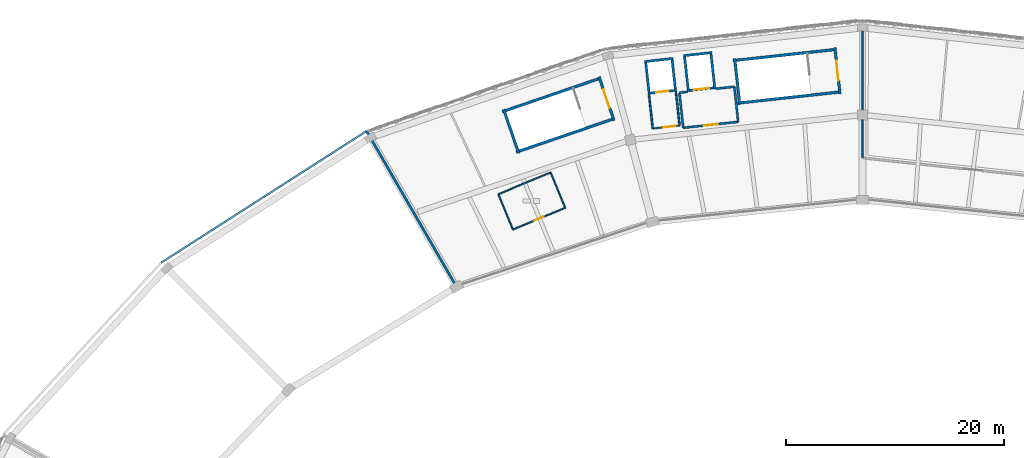
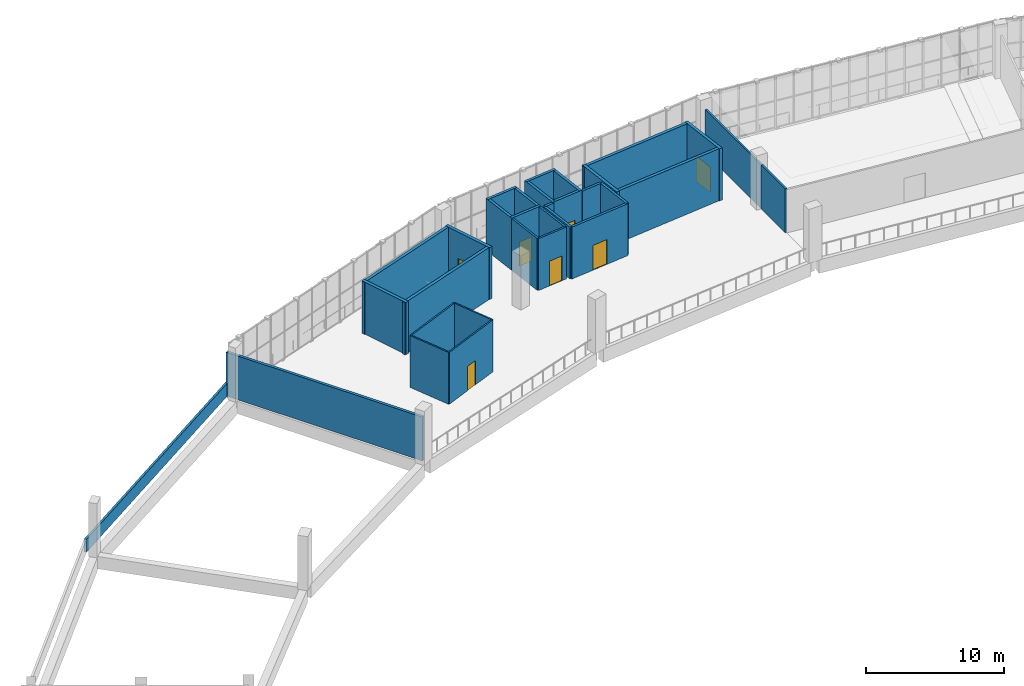
# One storey, part 48 of 64: 32 walls, 7 doors, 7 openings.
"""IFC4 building model written with IfcOpenShell, lengths in metres."""

from ifc_helpers import new_model, si_unit, direction, frame, frame_2d, origin, place, context, subcontext, project, spatial, rectangle, extrude, material, layer, layer_set, type_object, element, fill, save


model = new_model("IFC4")

# Units and contexts
model_context = context("Model", 3, precision=1e-05, world=origin(), true_north=direction((0.0, 1.0)))
body_context = subcontext(model_context, "Body", "Model", "MODEL_VIEW")
ifc_project = project(units=[si_unit("LENGTHUNIT", "METRE"), si_unit("AREAUNIT", "SQUARE_METRE"), si_unit("VOLUMEUNIT", "CUBIC_METRE"), si_unit("PLANEANGLEUNIT", "RADIAN"), si_unit("MASSUNIT", "GRAM", prefix="KILO")], contexts=[model_context])

# Site, building, storey
site_placement = place(None, origin())
site = spatial("IfcSite", under=ifc_project, at=site_placement, CompositionType="ELEMENT")
building_placement = place(site_placement, origin())
building = spatial("IfcBuilding", under=site, at=building_placement, Name="Zevraka Park Crest Stadium", CompositionType="ELEMENT")
storey_placement = place(building_placement, frame((0.0, 0.0, 24.60009765625)))
storey = spatial("IfcBuildingStorey", under=building, at=storey_placement, Name="L05", CompositionType="ELEMENT", Elevation=24.60009765625)

# Walls
ifc_material_1 = material(Name="Autoclaved aerated masonry blockwork", Category="masonry")
ifc_layer_1 = layer(ifc_material_1, 0.199951171875)
ifc_layer_set_1 = layer_set([ifc_layer_1], Name="Autoclaved aerated masonry blockwork")
wall_type_1 = type_object("IfcWallType", Name="IW01", PredefinedType="PARTITIONING", material=ifc_layer_set_1)
wall_1_placement = place(storey_placement, frame((95.195068359375, 161.3349609375, 0.0), z_axis=(0.0, 0.0, 1.0), x_axis=(0.994146742738, 0.108038205757, 0.0)))
element("IfcWall", 1, at=wall_1_placement, inside=storey, type_object=wall_type_1, Name="Firefighting Lift Lobby Wall IW01 FL02 L05 BACKL", PredefinedType="PARTITIONING", context=body_context, shape_type="SweptSolid", body=[
    extrude(rectangle(XDim=0.750244140625, YDim=0.199951171875, at=frame_2d((0.375, 0.0))), origin(), (0.0, 0.0, 1.0), 4.599853515625),
])
wall_2_placement = place(storey_placement, frame((98.52490234375, 161.697998046875, 0.0), z_axis=(0.0, 0.0, 1.0), x_axis=(0.994135511072, 0.108141507414, 0.0)))
element("IfcWall", 2, at=wall_2_placement, inside=storey, type_object=wall_type_1, Name="Firefighting Lift Lobby Wall IW01 FL02 L05 BACKR", PredefinedType="PARTITIONING", context=body_context, shape_type="SweptSolid", body=[
    extrude(rectangle(XDim=1.72021484375, YDim=0.199951171875, at=frame_2d((0.860107421875, 0.0))), origin(), (0.0, 0.0, 1.0), 4.599853515625),
])
for number, where, z_axis, x_axis, name in (
    (3, (95.195068359375, 161.3349609375, 0.0), (0.0, 0.0, 1.0), (0.108280975823, -0.994120329877, 0.0), "Firefighting Lift Lobby Wall IW01 FL02 L05 LEFT"),
    (4, (100.235107421875, 161.884033203125, 0.0), (0.0, 0.0, 1.0), (0.108280975823, -0.994120329877, 0.0), "Firefighting Lift Lobby Wall IW01 FL02 L05 RIGHT"),
):
    element("IfcWall", number, at=place(storey_placement, frame(where, z_axis=z_axis, x_axis=x_axis)), inside=storey, type_object=wall_type_1, Name=name, PredefinedType="PARTITIONING", context=body_context, shape_type="SweptSolid", body=[
        extrude(rectangle(XDim=3.239990234375, YDim=0.199951171875, at=frame_2d((1.6201171875, 0.0))), origin(), (0.0, 0.0, 1.0), 4.599853515625),
    ])

# Wall, opening, door
wall_3_placement = place(storey_placement, frame((95.5458984375, 158.114013671875, 0.0), z_axis=(0.0, 0.0, 1.0), x_axis=(0.994118117986, 0.108301281116, 0.0)))
wall_3 = element("IfcWall", 5, at=wall_3_placement, inside=storey, type_object=wall_type_1, Name="Firefighting Lift Lobby Wall IW01 FL02 L05 FRONT", PredefinedType="PARTITIONING", context=body_context, shape_type="SweptSolid", body=[
    extrude(rectangle(XDim=5.06982421875, YDim=0.199951171875, at=frame_2d((2.534912109375, 0.0))), origin(), (0.0, 0.0, 1.0), 4.599853515625),
])
opening_1_placement = place(wall_3_placement, frame((1.909912109375, 0.0, 0.0)))
opening_1 = element("IfcOpeningElement", 6, at=opening_1_placement, cuts=wall_3, Name="Opening D-L05-300", PredefinedType="OPENING", context=body_context, shape_type="SweptSolid", body=[
    extrude(rectangle(XDim=1.25, YDim=2.199951171875, at=frame_2d((0.625, 1.10009765625))), frame((0.0, 0.10986328125, 0.0), z_axis=(0.0, -1.0, 0.0), x_axis=(1.0, 0.0, 0.0)), (0.0, 0.0, 1.0), 0.219970703125),
])
ifc_material_2 = material(Name="Solid-core hardwood timber leaf in steel frame", Category="steel")
door_type_1 = type_object("IfcDoorType", Name="DR07", OperationType="NOTDEFINED", PredefinedType="DOOR", material=ifc_material_2)
door_1_placement = place(opening_1_placement, origin())
door_1 = element("IfcDoor", 7, at=door_1_placement, inside=storey, type_object=door_type_1, Name="Firefighting Lift Lobby FL02 Door D-L05-300", OperationType="SINGLE_SWING_RIGHT", OverallHeight=2.199951171875, OverallWidth=1.25, PredefinedType="DOOR", context=body_context, shape_type="SweptSolid", body=[
    extrude(rectangle(XDim=1.25, YDim=2.199951171875, at=frame_2d((0.625, 1.10009765625))), frame((0.0, 0.02490234375, 0.0), z_axis=(0.0, -1.0, 0.0), x_axis=(1.0, 0.0, 0.0)), (0.0, 0.0, 1.0), 0.050048828125),
])
fill(opening_1, door_1)

# Walls
ifc_material_3 = material(Name="Fire-rated twin-stud acoustic drywall", Category="other")
ifc_layer_2 = layer(ifc_material_3, 0.159912109375)
ifc_layer_set_2 = layer_set([ifc_layer_2], Name="Fire-rated twin-stud acoustic drywall")
wall_type_2 = type_object("IfcWallType", Name="IW02", PredefinedType="PARTITIONING", material=ifc_layer_set_2)
wall_4_placement = place(storey_placement, frame((92.403076171875, 161.200927734375, 0.0), z_axis=(0.0, 0.0, 1.0), x_axis=(0.108800302456, -0.99406362683, 0.0)))
element("IfcWall", 8, at=wall_4_placement, inside=storey, type_object=wall_type_2, Name="Passenger Lift Lobby Wall IW02 PL02 L05 LEFT", PredefinedType="PARTITIONING", context=body_context, shape_type="SweptSolid", body=[
    extrude(rectangle(XDim=3.170654296875, YDim=0.159912109375, at=frame_2d((1.58544921875, 0.0))), origin(), (0.0, 0.0, 1.0), 4.599853515625),
])
wall_5_placement = place(storey_placement, frame((94.868896484375, 161.469970703125, 0.0), z_axis=(0.0, 0.0, 1.0), x_axis=(0.108909733757, -0.994051643474, 0.0)))
element("IfcWall", 9, at=wall_5_placement, inside=storey, type_object=wall_type_2, Name="Passenger Lift Lobby Wall IW02 PL02 L05 RIGHT", PredefinedType="PARTITIONING", context=body_context, shape_type="SweptSolid", body=[
    extrude(rectangle(XDim=3.169677734375, YDim=0.159912109375, at=frame_2d((1.5849609375, 0.0))), origin(), (0.0, 0.0, 1.0), 4.599853515625),
])

# Wall, opening, door
wall_6_placement = place(storey_placement, frame((92.748046875, 158.049072265625, 0.0), z_axis=(0.0, 0.0, 1.0), x_axis=(0.994058887757, 0.1088435927, 0.0)))
wall_6 = element("IfcWall", 10, at=wall_6_placement, inside=storey, type_object=wall_type_2, Name="Passenger Lift Lobby Wall IW02 PL02 L05 FRONT", PredefinedType="PARTITIONING", context=body_context, shape_type="SweptSolid", body=[
    extrude(rectangle(XDim=2.480712890625, YDim=0.159912109375, at=frame_2d((1.240234375, 0.0))), origin(), (0.0, 0.0, 1.0), 4.599853515625),
])
opening_2_placement = place(wall_6_placement, frame((0.962890625, 0.0, 0.0)))
opening_2 = element("IfcOpeningElement", 11, at=opening_2_placement, cuts=wall_6, Name="Opening D-L05-306", PredefinedType="OPENING", context=body_context, shape_type="SweptSolid", body=[
    extrude(rectangle(XDim=1.14990234375, YDim=2.199951171875, at=frame_2d((0.574951171875, 1.10009765625))), frame((0.0, 0.08984375, 0.0), z_axis=(0.0, -1.0, 0.0), x_axis=(1.0, 0.0, 0.0)), (0.0, 0.0, 1.0), 0.179931640625),
])
ifc_material_4 = material(Name="Solid-core hardwood timber leaf in steel frame", Category="steel")
door_type_2 = type_object("IfcDoorType", Name="DR03", OperationType="NOTDEFINED", PredefinedType="DOOR", material=ifc_material_4)
door_2_placement = place(opening_2_placement, origin())
door_2 = element("IfcDoor", 12, at=door_2_placement, inside=storey, type_object=door_type_2, Name="Passenger Lift Lobby PL02 Door D-L05-306", OperationType="SINGLE_SWING_RIGHT", OverallHeight=2.199951171875, OverallWidth=1.14990234375, PredefinedType="DOOR", context=body_context, shape_type="SweptSolid", body=[
    extrude(rectangle(XDim=1.14990234375, YDim=2.199951171875, at=frame_2d((0.574951171875, 1.10009765625))), frame((0.0, 0.02490234375, 0.0), z_axis=(0.0, -1.0, 0.0), x_axis=(1.0, 0.0, 0.0)), (0.0, 0.0, 1.0), 0.050048828125),
])
fill(opening_2, door_2)

ifc_material_5 = material(Name="Moisture-resistant sanitary partition", Category="other")
ifc_layer_3 = layer(ifc_material_5, 0.1201171875)
ifc_layer_set_3 = layer_set([ifc_layer_3], Name="Moisture-resistant sanitary partition")
wall_type_3 = type_object("IfcWallType", Name="IW04", PredefinedType="PARTITIONING", material=ifc_layer_set_3)
wall_7_placement = place(storey_placement, frame((84.72509765625, 150.783935546875, 0.0), z_axis=(0.0, 0.0, 1.0), x_axis=(-0.923877780955, -0.38268766097, 0.0)))
wall_7 = element("IfcWall", 13, at=wall_7_placement, inside=storey, type_object=wall_type_3, Name="Sanitary Enclosure Wall IW04 Female WC L05-002-1", PredefinedType="PARTITIONING", context=body_context, shape_type="SweptSolid", body=[
    extrude(rectangle(XDim=5.199951171875, YDim=0.1201171875, at=frame_2d((2.60009765625, 0.0))), origin(), (0.0, 0.0, 1.0), 4.599853515625),
])
opening_3_placement = place(wall_7_placement, frame((2.125, 0.0, 0.0)))
opening_3 = element("IfcOpeningElement", 14, at=opening_3_placement, cuts=wall_7, Name="Opening D-L05-353", PredefinedType="OPENING", context=body_context, shape_type="SweptSolid", body=[
    extrude(rectangle(XDim=0.949951171875, YDim=2.14990234375, at=frame_2d((0.47509765625, 1.074951171875))), frame((0.0, 0.070068359375, 0.0), z_axis=(0.0, -1.0, 0.0), x_axis=(1.0, 0.0, 0.0)), (0.0, 0.0, 1.0), 0.14013671875),
])
ifc_material_6 = material(Name="Solid-core hardwood timber leaf in steel frame", Category="steel")
door_type_3 = type_object("IfcDoorType", Name="DR08", OperationType="NOTDEFINED", PredefinedType="DOOR", material=ifc_material_6)
door_3_placement = place(opening_3_placement, origin())
door_3 = element("IfcDoor", 15, at=door_3_placement, inside=storey, type_object=door_type_3, Name="Female WC Door D-L05-353", OperationType="SINGLE_SWING_LEFT", OverallHeight=2.14990234375, OverallWidth=0.949951171875, PredefinedType="DOOR", context=body_context, shape_type="SweptSolid", body=[
    extrude(rectangle(XDim=0.949951171875, YDim=2.14990234375, at=frame_2d((0.47509765625, 1.074951171875))), frame((0.0, 0.02490234375, 0.0), z_axis=(0.0, -1.0, 0.0), x_axis=(1.0, 0.0, 0.0)), (0.0, 0.0, 1.0), 0.050048828125),
])
fill(opening_3, door_3)

# Walls
wall_8_placement = place(storey_placement, frame((79.9208984375, 148.7939453125, 0.0), z_axis=(0.0, 0.0, 1.0), x_axis=(-0.38283644003, 0.923816139816, 0.0)))
element("IfcWall", 16, at=wall_8_placement, inside=storey, type_object=wall_type_3, Name="Sanitary Enclosure Wall IW04 Female WC L05-002-2", PredefinedType="PARTITIONING", context=body_context, shape_type="SweptSolid", body=[
    extrude(rectangle(XDim=3.499755859375, YDim=0.1201171875, at=frame_2d((1.75, 0.0))), origin(), (0.0, 0.0, 1.0), 4.599853515625),
])
wall_9_placement = place(storey_placement, frame((78.5810546875, 152.027099609375, 0.0), z_axis=(0.0, 0.0, 1.0), x_axis=(0.923898404293, 0.382637868675, 0.0)))
element("IfcWall", 17, at=wall_9_placement, inside=storey, type_object=wall_type_3, Name="Sanitary Enclosure Wall IW04 Female WC L05-002-3", PredefinedType="PARTITIONING", context=body_context, shape_type="SweptSolid", body=[
    extrude(rectangle(XDim=5.20068359375, YDim=0.1201171875, at=frame_2d((2.600341796875, 0.0))), origin(), (0.0, 0.0, 1.0), 4.599853515625),
])
wall_10_placement = place(storey_placement, frame((83.385986328125, 154.01708984375, 0.0), z_axis=(0.0, 0.0, 1.0), x_axis=(0.38265781443, -0.923890143391, 0.0)))
element("IfcWall", 18, at=wall_10_placement, inside=storey, type_object=wall_type_3, Name="Sanitary Enclosure Wall IW04 Female WC L05-002-4", PredefinedType="PARTITIONING", context=body_context, shape_type="SweptSolid", body=[
    extrude(rectangle(XDim=3.49951171875, YDim=0.1201171875, at=frame_2d((1.749755859375, 0.0))), origin(), (0.0, 0.0, 1.0), 4.599853515625),
])
ifc_material_7 = material(Name="Fire-rated twin-stud acoustic drywall", Category="other")
ifc_layer_4 = layer(ifc_material_7, 0.14990234375)
ifc_layer_set_4 = layer_set([ifc_layer_4], Name="Fire-rated twin-stud acoustic drywall")
wall_type_4 = type_object("IfcWallType", Name="IW05", PredefinedType="PARTITIONING", material=ifc_layer_set_4)
wall_11_placement = place(storey_placement, frame((112.0, 155.35009765625, 0.0), z_axis=(0.0, 0.0, 1.0), x_axis=(0.0, 1.0, 0.0)))
element("IfcWall", 19, at=wall_11_placement, inside=storey, type_object=wall_type_4, Name="Interior Partition IW05 Venue Operations and Fire Command Centre L05", PredefinedType="PARTITIONING", context=body_context, shape_type="SweptSolid", body=[
    extrude(rectangle(XDim=3.514892578125, YDim=0.14990234375, at=frame_2d((1.75732421875, 0.0))), origin(), (0.0, 0.0, 1.0), 3.889892578125),
])
wall_12_placement = place(storey_placement, frame((112.0, 158.85009765625, 0.0), z_axis=(0.0, 0.0, 1.0), x_axis=(0.0, 1.0, 0.0)))
element("IfcWall", 20, at=wall_12_placement, inside=storey, type_object=wall_type_4, Name="Interior Partition IW05 Venue Operations and Fire Command Centre L05", PredefinedType="PARTITIONING", context=body_context, shape_type="SweptSolid", body=[
    extrude(rectangle(XDim=8.139892578125, YDim=0.14990234375, at=frame_2d((4.06982421875, 0.0))), origin(), (0.0, 0.0, 1.0), 3.889892578125),
])
ifc_material_8 = material(Name="Precast concrete C40/50", Category="concrete")
ifc_layer_5 = layer(ifc_material_8, 0.219970703125)
ifc_layer_set_5 = layer_set([ifc_layer_5], Name="Precast concrete C40/50")
wall_type_5 = type_object("IfcWallType", Name="PW01", PredefinedType="PARAPET", material=ifc_layer_set_5)
wall_13_placement = place(storey_placement, frame((74.75, 143.529052734375, 0.0), z_axis=(0.0, 0.0, 1.0), x_axis=(-0.500009360108, 0.866019999656, 0.0)))
element("IfcWall", 21, at=wall_13_placement, inside=storey, type_object=wall_type_5, Name="Crown Tribune End Closure Wall PW01 08", PredefinedType="PARAPET", context=body_context, shape_type="SweptSolid", body=[
    extrude(rectangle(XDim=16.499755859375, YDim=0.219970703125, at=frame_2d((8.25, 0.0))), origin(), (0.0, 0.0, 1.0), 3.889892578125),
])
ifc_material_9 = material(Name="Precast concrete C40/50", Category="concrete")
ifc_layer_6 = layer(ifc_material_9, 0.179931640625)
ifc_layer_set_6 = layer_set([ifc_layer_6], Name="Precast concrete C40/50")
wall_type_6 = type_object("IfcWallType", Name="PW02", PredefinedType="PARAPET", material=ifc_layer_set_6)
wall_14_placement = place(storey_placement, frame((66.5, 157.818115234375, 0.0), z_axis=(0.0, 0.0, 1.0), x_axis=(-0.841944820425, -0.539563637914, 0.0)))
element("IfcWall", 22, at=wall_14_placement, inside=storey, type_object=wall_type_6, Name="Setback Roof Parapet Wall PW02 08", PredefinedType="PARAPET", context=body_context, shape_type="SweptSolid", body=[
    extrude(rectangle(XDim=22.385009765625, YDim=0.179931640625, at=frame_2d((11.1923828125, 0.0))), origin(), (0.0, 0.0, 1.0), 1.14990234375),
])
ifc_material_10 = material(Name="Concrete C40/50", Category="concrete")
ifc_layer_7 = layer(ifc_material_10, 0.25)
ifc_layer_set_7 = layer_set([ifc_layer_7], Name="Concrete C40/50")
wall_type_7 = type_object("IfcWallType", Name="SW01", PredefinedType="SHEAR", material=ifc_layer_set_7)
for number, where, z_axis, x_axis, name in (
    (23, (109.602783203125, 165.310546875, 0.0), (0.0, 0.0, 1.0), (-0.994127555169, -0.108214620337, 0.0), "Stair Core Shear Wall SW01 ST07 L05 left"),
    (24, (100.533203125, 160.380126953125, 0.0), (0.0, 0.0, 1.0), (0.994127555169, 0.108214620337, 0.0), "Stair Core Shear Wall SW01 ST07 L05 right"),
):
    element("IfcWall", number, at=place(storey_placement, frame(where, z_axis=z_axis, x_axis=x_axis)), inside=storey, type_object=wall_type_7, Name=name, PredefinedType="SHEAR", context=body_context, shape_type="SweptSolid", body=[
        extrude(rectangle(XDim=9.550048828125, YDim=0.25, at=frame_2d((4.77490234375, 0.0))), origin(), (0.0, 0.0, 1.0), 4.619873046875),
    ])

# Wall, opening, door
wall_15_placement = place(storey_placement, frame((109.921142578125, 161.23095703125, 0.0), z_axis=(0.0, 0.0, 1.0), x_axis=(-0.108198315262, 0.994129329903, 0.0)))
wall_15 = element("IfcWall", 25, at=wall_15_placement, inside=storey, type_object=wall_type_7, Name="Stair Core Shear Wall SW01 ST07 L05 near", PredefinedType="SHEAR", context=body_context, shape_type="SweptSolid", body=[
    extrude(rectangle(XDim=4.260009765625, YDim=0.25, at=frame_2d((2.1298828125, 0.0))), origin(), (0.0, 0.0, 1.0), 4.619873046875),
])
opening_4_placement = place(wall_15_placement, frame((1.22998046875, 0.0, 0.0)))
opening_4 = element("IfcOpeningElement", 26, at=opening_4_placement, cuts=wall_15, Name="Opening D-L05-043", PredefinedType="OPENING", context=body_context, shape_type="SweptSolid", body=[
    extrude(rectangle(XDim=1.800048828125, YDim=2.25, at=frame_2d((0.89990234375, 1.125))), frame((0.0, 0.135009765625, 0.0), z_axis=(0.0, -1.0, 0.0), x_axis=(1.0, 0.0, 0.0)), (0.0, 0.0, 1.0), 0.27001953125),
])
ifc_material_11 = material(Name="Solid-core hardwood timber leaf in steel frame", Category="steel")
door_type_4 = type_object("IfcDoorType", Name="DR04", OperationType="NOTDEFINED", PredefinedType="DOOR", material=ifc_material_11)
door_4_placement = place(opening_4_placement, origin())
door_4 = element("IfcDoor", 27, at=door_4_placement, inside=storey, type_object=door_type_4, Name="Protected Stair Entry Door ST07 L05", OperationType="DOUBLE_DOOR_SINGLE_SWING", OverallHeight=2.25, OverallWidth=1.800048828125, PredefinedType="DOOR", context=body_context, shape_type="SweptSolid", body=[
    extrude(rectangle(XDim=1.800048828125, YDim=2.25, at=frame_2d((0.89990234375, 1.125))), frame((0.0, 0.02490234375, 0.0), z_axis=(0.0, -1.0, 0.0), x_axis=(1.0, 0.0, 0.0)), (0.0, 0.0, 1.0), 0.050048828125),
])
fill(opening_4, door_4)

# Walls
wall_16_placement = place(storey_placement, frame((100.2744140625, 164.466064453125, 0.0), z_axis=(0.0, 0.0, 1.0), x_axis=(0.108204479885, -0.994128658944, 0.0)))
element("IfcWall", 28, at=wall_16_placement, inside=storey, type_object=wall_type_7, Name="Stair Core Shear Wall SW01 ST07 L05 far", PredefinedType="SHEAR", context=body_context, shape_type="SweptSolid", body=[
    extrude(rectangle(XDim=4.259765625, YDim=0.25, at=frame_2d((2.1298828125, 0.0))), origin(), (0.0, 0.0, 1.0), 4.619873046875),
])
wall_17_placement = place(storey_placement, frame((87.99267578125, 162.685791015625, 0.0), z_axis=(0.0, 0.0, 1.0), x_axis=(-0.946064424228, -0.323978556712, 0.0)))
element("IfcWall", 29, at=wall_17_placement, inside=storey, type_object=wall_type_7, Name="Stair Core Shear Wall SW01 ST08 L05 left", PredefinedType="SHEAR", context=body_context, shape_type="SweptSolid", body=[
    extrude(rectangle(XDim=9.550048828125, YDim=0.25, at=frame_2d((4.77490234375, 0.0))), origin(), (0.0, 0.0, 1.0), 4.619873046875),
])
wall_18_placement = place(storey_placement, frame((80.2275390625, 155.883056640625, 0.0), z_axis=(0.0, 0.0, 1.0), x_axis=(0.946067107432, 0.323970721263, 0.0)))
element("IfcWall", 30, at=wall_18_placement, inside=storey, type_object=wall_type_7, Name="Stair Core Shear Wall SW01 ST08 L05 right", PredefinedType="SHEAR", context=body_context, shape_type="SweptSolid", body=[
    extrude(rectangle(XDim=9.55029296875, YDim=0.25, at=frame_2d((4.775146484375, 0.0))), origin(), (0.0, 0.0, 1.0), 4.619873046875),
])

# Wall, opening, door
wall_19_placement = place(storey_placement, frame((89.199462890625, 158.77587890625, 0.0), z_axis=(0.0, 0.0, 1.0), x_axis=(-0.323988758717, 0.946060930504, 0.0)))
wall_19 = element("IfcWall", 31, at=wall_19_placement, inside=storey, type_object=wall_type_7, Name="Stair Core Shear Wall SW01 ST08 L05 near", PredefinedType="SHEAR", context=body_context, shape_type="SweptSolid", body=[
    extrude(rectangle(XDim=4.259765625, YDim=0.25, at=frame_2d((2.1298828125, 0.0))), origin(), (0.0, 0.0, 1.0), 4.619873046875),
])
opening_5_placement = place(wall_19_placement, frame((1.22998046875, 0.0, 0.0)))
opening_5 = element("IfcOpeningElement", 32, at=opening_5_placement, cuts=wall_19, Name="Opening D-L05-050", PredefinedType="OPENING", context=body_context, shape_type="SweptSolid", body=[
    extrude(rectangle(XDim=1.800048828125, YDim=2.25, at=frame_2d((0.89990234375, 1.125))), frame((0.0, 0.135009765625, 0.0), z_axis=(0.0, -1.0, 0.0), x_axis=(1.0, 0.0, 0.0)), (0.0, 0.0, 1.0), 0.27001953125),
])
door_5_placement = place(opening_5_placement, origin())
door_5 = element("IfcDoor", 33, at=door_5_placement, inside=storey, type_object=door_type_4, Name="Protected Stair Entry Door ST08 L05", OperationType="DOUBLE_DOOR_SINGLE_SWING", OverallHeight=2.25, OverallWidth=1.800048828125, PredefinedType="DOOR", context=body_context, shape_type="SweptSolid", body=[
    extrude(rectangle(XDim=1.800048828125, YDim=2.25, at=frame_2d((0.89990234375, 1.125))), frame((0.0, 0.02490234375, 0.0), z_axis=(0.0, -1.0, 0.0), x_axis=(1.0, 0.0, 0.0)), (0.0, 0.0, 1.0), 0.050048828125),
])
fill(opening_5, door_5)

# Walls
wall_20_placement = place(storey_placement, frame((79.07763671875, 159.8125, 0.0), z_axis=(0.0, 0.0, 1.0), x_axis=(0.323971192516, -0.946066946056, 0.0)))
element("IfcWall", 34, at=wall_20_placement, inside=storey, type_object=wall_type_7, Name="Stair Core Shear Wall SW01 ST08 L05 far", PredefinedType="SHEAR", context=body_context, shape_type="SweptSolid", body=[
    extrude(rectangle(XDim=4.260009765625, YDim=0.25, at=frame_2d((2.1298828125, 0.0))), origin(), (0.0, 0.0, 1.0), 4.619873046875),
])
ifc_material_12 = material(Name="Concrete C40/50", Category="concrete")
ifc_layer_8 = layer(ifc_material_12, 0.219970703125)
ifc_layer_set_8 = layer_set([ifc_layer_8], Name="Concrete C40/50")
wall_type_8 = type_object("IfcWallType", Name="SW02", PredefinedType="SHEAR", material=ifc_layer_set_8)
wall_21_placement = place(storey_placement, frame((98.18310546875, 165.010986328125, 0.0), z_axis=(0.0, 0.0, 1.0), x_axis=(-0.994077313431, -0.108675180804, 0.0)))
element("IfcWall", 35, at=wall_21_placement, inside=storey, type_object=wall_type_8, Name="Lift Shaft Shear Wall SW02 FL02 L05-1", PredefinedType="SHEAR", context=body_context, shape_type="SweptSolid", body=[
    extrude(rectangle(XDim=2.6396484375, YDim=0.219970703125, at=frame_2d((1.31982421875, 0.0))), origin(), (0.0, 0.0, 1.0), 4.619873046875),
])
wall_22_placement = place(storey_placement, frame((95.656005859375, 164.844970703125, 0.0), z_axis=(0.0, 0.0, 1.0), x_axis=(0.108748511736, -0.994069293961, 0.0)))
element("IfcWall", 36, at=wall_22_placement, inside=storey, type_object=wall_type_8, Name="Lift Shaft Shear Wall SW02 FL02 L05-2", PredefinedType="SHEAR", context=body_context, shape_type="SweptSolid", body=[
    extrude(rectangle(XDim=3.439453125, YDim=0.219970703125, at=frame_2d((1.7197265625, 0.0))), origin(), (0.0, 0.0, 1.0), 4.619873046875),
])

# Wall, opening, door
wall_23_placement = place(storey_placement, frame((95.908935546875, 161.52294921875, 0.0), z_axis=(0.0, 0.0, 1.0), x_axis=(0.994067317545, 0.108766576613, 0.0)))
wall_23 = element("IfcWall", 37, at=wall_23_placement, inside=storey, type_object=wall_type_8, Name="Lift Shaft Shear Wall SW02 FL02 L05-3", PredefinedType="SHEAR", context=body_context, shape_type="SweptSolid", body=[
    extrude(rectangle(XDim=2.6396484375, YDim=0.219970703125, at=frame_2d((1.31982421875, 0.0))), origin(), (0.0, 0.0, 1.0), 4.619873046875),
])
opening_6_placement = place(wall_23_placement, frame((0.6201171875, 0.0, 0.0)))
opening_6 = element("IfcOpeningElement", 38, at=opening_6_placement, cuts=wall_23, Name="Opening LD-FL02-L05", PredefinedType="OPENING", context=body_context, shape_type="SweptSolid", body=[
    extrude(rectangle(XDim=1.39990234375, YDim=2.199951171875, at=frame_2d((0.699951171875, 1.10009765625))), frame((0.0, 0.119873046875, 0.0), z_axis=(0.0, -1.0, 0.0), x_axis=(1.0, 0.0, 0.0)), (0.0, 0.0, 1.0), 0.239990234375),
])
ifc_material_13 = material(Name="Brushed stainless steel lift landing doors", Category="steel")
door_type_5 = type_object("IfcDoorType", Name="LD01", OperationType="NOTDEFINED", PredefinedType="DOOR", material=ifc_material_13)
door_6_placement = place(opening_6_placement, origin())
door_6 = element("IfcDoor", 39, at=door_6_placement, inside=storey, type_object=door_type_5, Name="Lift Sliding Landing Door LD-FL02-L05", OperationType="SLIDING_TO_LEFT", OverallHeight=2.199951171875, OverallWidth=1.39990234375, PredefinedType="DOOR", context=body_context, shape_type="SweptSolid", body=[
    extrude(rectangle(XDim=1.39990234375, YDim=2.199951171875, at=frame_2d((0.699951171875, 1.10009765625))), frame((0.0, 0.02490234375, 0.0), z_axis=(0.0, -1.0, 0.0), x_axis=(1.0, 0.0, 0.0)), (0.0, 0.0, 1.0), 0.050048828125),
])
fill(opening_6, door_6)

# Walls
wall_24_placement = place(storey_placement, frame((98.43603515625, 161.68896484375, 0.0), z_axis=(0.0, 0.0, 1.0), x_axis=(-0.108748511736, 0.994069293961, 0.0)))
element("IfcWall", 40, at=wall_24_placement, inside=storey, type_object=wall_type_8, Name="Lift Shaft Shear Wall SW02 FL02 L05-4", PredefinedType="SHEAR", context=body_context, shape_type="SweptSolid", body=[
    extrude(rectangle(XDim=3.439453125, YDim=0.219970703125, at=frame_2d((1.7197265625, 0.0))), origin(), (0.0, 0.0, 1.0), 4.619873046875),
])
wall_25_placement = place(storey_placement, frame((94.62109375, 164.470947265625, 0.0), z_axis=(0.0, 0.0, 1.0), x_axis=(-0.994072941705, -0.108715162556, 0.0)))
element("IfcWall", 41, at=wall_25_placement, inside=storey, type_object=wall_type_8, Name="Lift Shaft Shear Wall SW02 PL02 L05-1", PredefinedType="SHEAR", context=body_context, shape_type="SweptSolid", body=[
    extrude(rectangle(XDim=2.638671875, YDim=0.219970703125, at=frame_2d((1.3193359375, 0.0))), origin(), (0.0, 0.0, 1.0), 4.619873046875),
])
wall_26_placement = place(storey_placement, frame((92.094970703125, 164.304931640625, 0.0), z_axis=(0.0, 0.0, 1.0), x_axis=(0.108638937738, -0.99408127495, 0.0)))
element("IfcWall", 42, at=wall_26_placement, inside=storey, type_object=wall_type_8, Name="Lift Shaft Shear Wall SW02 PL02 L05-2", PredefinedType="SHEAR", context=body_context, shape_type="SweptSolid", body=[
    extrude(rectangle(XDim=3.139404296875, YDim=0.219970703125, at=frame_2d((1.56982421875, 0.0))), origin(), (0.0, 0.0, 1.0), 4.619873046875),
])

# Wall, opening, door
wall_27_placement = place(storey_placement, frame((92.31494140625, 161.281005859375, 0.0), z_axis=(0.0, 0.0, 1.0), x_axis=(0.994062938508, 0.108806591184, 0.0)))
wall_27 = element("IfcWall", 43, at=wall_27_placement, inside=storey, type_object=wall_type_8, Name="Lift Shaft Shear Wall SW02 PL02 L05-3", PredefinedType="SHEAR", context=body_context, shape_type="SweptSolid", body=[
    extrude(rectangle(XDim=2.638671875, YDim=0.219970703125, at=frame_2d((1.3193359375, 0.0))), origin(), (0.0, 0.0, 1.0), 4.619873046875),
])
opening_7_placement = place(wall_27_placement, frame((0.76904296875, 0.0, 0.0)))
opening_7 = element("IfcOpeningElement", 44, at=opening_7_placement, cuts=wall_27, Name="Opening LD-PL02-L05", PredefinedType="OPENING", context=body_context, shape_type="SweptSolid", body=[
    extrude(rectangle(XDim=1.10009765625, YDim=2.14990234375, at=frame_2d((0.550048828125, 1.074951171875))), frame((0.0, 0.119873046875, 0.0), z_axis=(0.0, -1.0, 0.0), x_axis=(1.0, 0.0, 0.0)), (0.0, 0.0, 1.0), 0.239990234375),
])
ifc_material_14 = material(Name="Brushed stainless steel lift landing doors", Category="steel")
door_type_6 = type_object("IfcDoorType", Name="LD02", OperationType="NOTDEFINED", PredefinedType="DOOR", material=ifc_material_14)
door_7_placement = place(opening_7_placement, origin())
door_7 = element("IfcDoor", 45, at=door_7_placement, inside=storey, type_object=door_type_6, Name="Lift Sliding Landing Door LD-PL02-L05", OperationType="SLIDING_TO_LEFT", OverallHeight=2.14990234375, OverallWidth=1.10009765625, PredefinedType="DOOR", context=body_context, shape_type="SweptSolid", body=[
    extrude(rectangle(XDim=1.10009765625, YDim=2.14990234375, at=frame_2d((0.550048828125, 1.074951171875))), frame((0.0, 0.02490234375, 0.0), z_axis=(0.0, -1.0, 0.0), x_axis=(1.0, 0.0, 0.0)), (0.0, 0.0, 1.0), 0.050048828125),
])
fill(opening_7, door_7)

# Wall
wall_28_placement = place(storey_placement, frame((94.841064453125, 161.447021484375, 0.0), z_axis=(0.0, 0.0, 1.0), x_axis=(-0.108630539984, 0.99408219267, 0.0)))
element("IfcWall", 46, at=wall_28_placement, inside=storey, type_object=wall_type_8, Name="Lift Shaft Shear Wall SW02 PL02 L05-4", PredefinedType="SHEAR", context=body_context, shape_type="SweptSolid", body=[
    extrude(rectangle(XDim=3.1396484375, YDim=0.219970703125, at=frame_2d((1.56982421875, 0.0))), origin(), (0.0, 0.0, 1.0), 4.619873046875),
])

save(model, "model.ifc")
